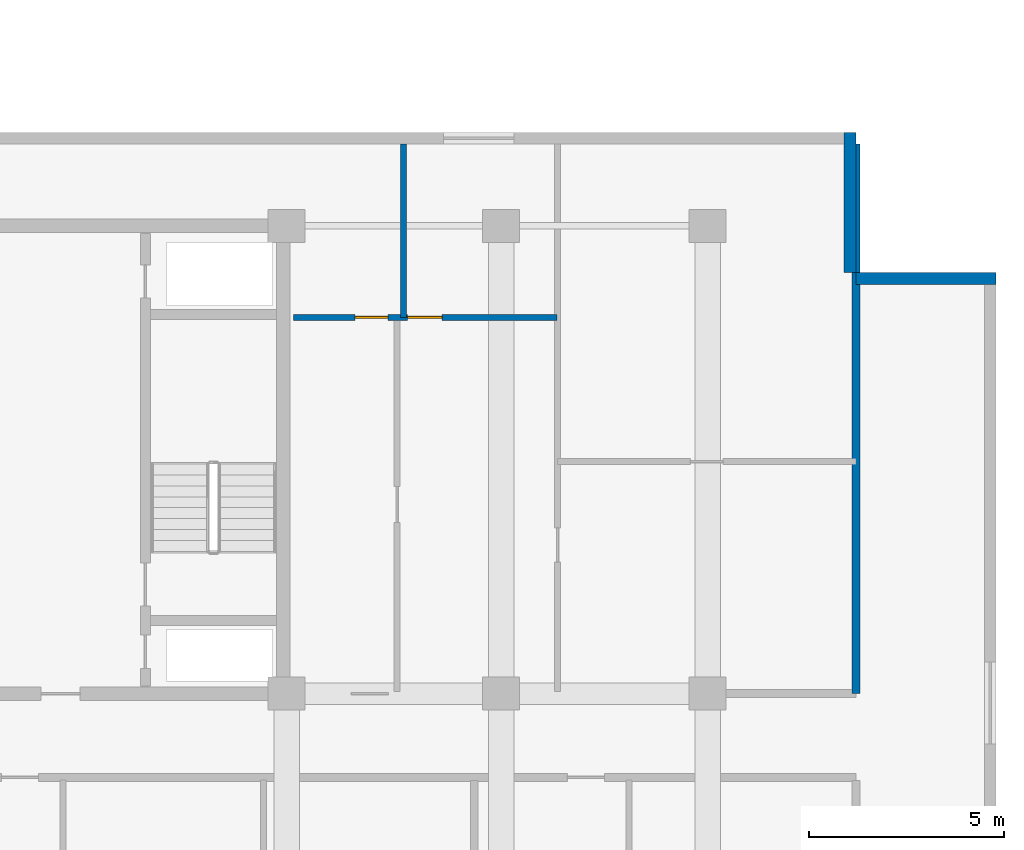
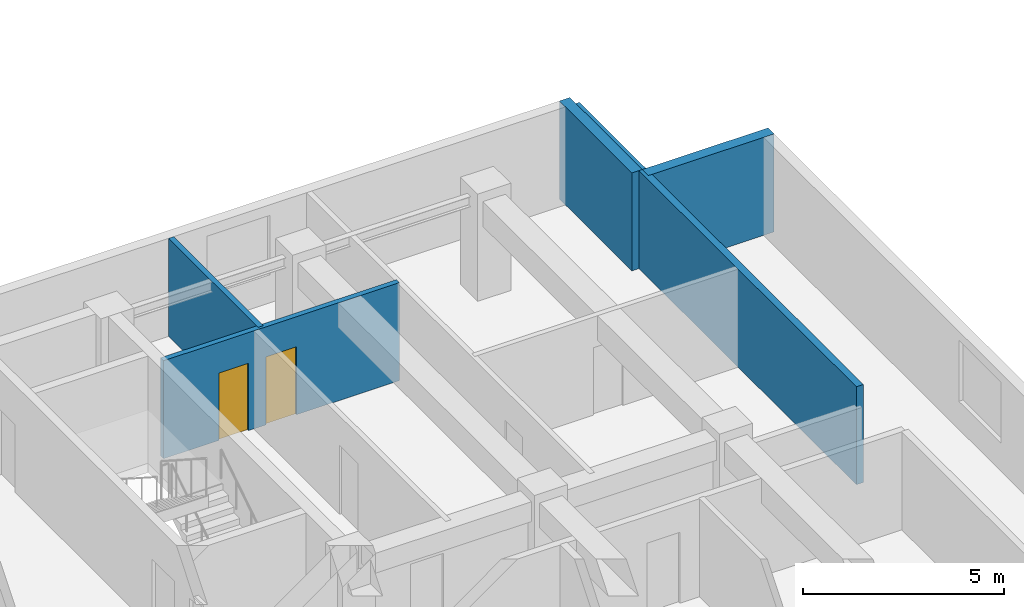
# One storey, part 9 of 24: 5 walls, 2 doors, 2 openings.
"""IFC4 building model written with IfcOpenShell, lengths in metres."""

import ifcopenshell
import ifcopenshell.guid

model = None  # the IFC model being written
_history = None  # IfcOwnerHistory: only IFC2X3 demands one
_inside = {}  # id of a spatial element -> (the spatial element, [elements in it])
_under = {}  # id of a project, library or spatial element -> (it, [spatial elements below it])
_declared = {}  # id of a project -> (the project, [libraries it declares])
_typed = {}  # id of a type object -> (the type object, [elements of that type])
_made_of = {}  # id of a material, layer set ... -> (it, [elements and type objects made of it])


def new_model(schema):
    """Start an empty IFC model of exactly this schema.

    Asked for "IFC4X3", IfcOpenShell would pick the latest addendum, in which some entities
    have other attributes; the version numbers below select the first issue.
    IFC2X3 requires an IfcOwnerHistory on every rooted entity: one is made here for all.
    """
    global model, _history
    if schema == "IFC4X3":
        model = ifcopenshell.file(schema_version=(4, 3, 0, 0))
    else:
        model = ifcopenshell.file(schema=schema)
    _inside.clear()
    _under.clear()
    _declared.clear()
    _typed.clear()
    _made_of.clear()
    _history = None
    if model.schema == "IFC2X3":
        org = make("IfcOrganization", Name="unknown")
        user = make(
            "IfcPersonAndOrganization",
            ThePerson=make("IfcPerson", FamilyName="unknown"),
            TheOrganization=org,
        )
        app = make(
            "IfcApplication",
            ApplicationDeveloper=org,
            Version="unknown",
            ApplicationFullName="unknown",
            ApplicationIdentifier="unknown",
        )
        _history = make(
            "IfcOwnerHistory",
            OwningUser=user,
            OwningApplication=app,
            ChangeAction="ADDED",
            CreationDate=0,
        )
    return model


def make(cls, **values):
    """One entity of the class cls with the attributes given. An attribute that is None is left unset."""
    return model.create_entity(
        cls, **{name: value for name, value in values.items() if value is not None}
    )


def rooted(cls, **values):
    """An entity with a GlobalId (a new one), such as an element, a storey or a relation."""
    return make(cls, GlobalId=ifcopenshell.guid.new(), OwnerHistory=_history, **values)


def si_unit(unit_type, name, prefix=None):
    """IfcSIUnit, for example si_unit("LENGTHUNIT", "METRE", prefix="MILLI")."""
    return make("IfcSIUnit", UnitType=unit_type, Prefix=prefix, Name=name)


def assignment(units):
    """IfcUnitAssignment: the units of a project."""
    return None if units is None else make("IfcUnitAssignment", Units=units)


def point(xyz):
    """IfcCartesianPoint."""
    return None if xyz is None else make("IfcCartesianPoint", Coordinates=xyz)


def direction(xyz):
    """IfcDirection."""
    return None if xyz is None else make("IfcDirection", DirectionRatios=xyz)


def frame(location, z_axis=None, x_axis=None):
    """IfcAxis2Placement3D, a coordinate frame: its origin and axes. An axis left out is left unset."""
    return make(
        "IfcAxis2Placement3D",
        Location=point(location),
        Axis=direction(z_axis),
        RefDirection=direction(x_axis),
    )


def frame_2d(location, x_axis=None):
    """IfcAxis2Placement2D, a coordinate frame in the plane: its origin and x axis."""
    return make(
        "IfcAxis2Placement2D", Location=point(location), RefDirection=direction(x_axis)
    )


def origin():
    """The frame at (0, 0, 0) with its axes left unset."""
    return frame((0.0, 0.0, 0.0))


def place(relative_to, where):
    """IfcLocalPlacement: puts the frame where relative to a parent placement (None: the world)."""
    return make(
        "IfcLocalPlacement", PlacementRelTo=relative_to, RelativePlacement=where
    )


def context(
    kind, dimensions, precision=None, world=None, true_north=None, identifier=None
):
    """IfcGeometricRepresentationContext, for example the 3D "Model" context."""
    return make(
        "IfcGeometricRepresentationContext",
        ContextIdentifier=identifier,
        ContextType=kind,
        CoordinateSpaceDimension=dimensions,
        Precision=precision,
        WorldCoordinateSystem=world,
        TrueNorth=true_north,
    )


def subcontext(parent, identifier, kind, view, scale=None):
    """IfcGeometricRepresentationSubContext, for example "Body" below "Model"."""
    return make(
        "IfcGeometricRepresentationSubContext",
        ContextIdentifier=identifier,
        ContextType=kind,
        ParentContext=parent,
        TargetScale=scale,
        TargetView=view,
    )


def project(units=None, contexts=None):
    """IfcProject with its units and contexts."""
    return rooted(
        "IfcProject",
        Name="project",
        RepresentationContexts=contexts,
        UnitsInContext=assignment(units),
    )


def spatial(cls, under=None, at=None, **own):
    """A site, building, storey or space (cls), placed at a placement, below another one or the project."""
    s = rooted(cls, ObjectPlacement=at, **own)
    if under is not None:
        _under.setdefault(under.id(), (under, []))[1].append(s)
    return s


def profile(cls, at=None, kind="AREA", **sizes):
    """A parametric profile (cls). Its sizes go by their IFC names, for example OverallWidth=200.0."""
    return make(cls, ProfileType=kind, Position=at, **sizes)


def rectangle(**sizes):
    """IfcRectangleProfileDef."""
    return profile("IfcRectangleProfileDef", **sizes)


def extrude(swept, where, along, depth):
    """IfcExtrudedAreaSolid: the profile swept, set in the frame where, extruded along a direction by depth."""
    return make(
        "IfcExtrudedAreaSolid",
        SweptArea=swept,
        Position=where,
        ExtrudedDirection=direction(along),
        Depth=depth,
    )


def shape(context_of_items, identifier, shape_type, items):
    """IfcShapeRepresentation: the items that make up one representation, for example the "Body"."""
    return make(
        "IfcShapeRepresentation",
        ContextOfItems=context_of_items,
        RepresentationIdentifier=identifier,
        RepresentationType=shape_type,
        Items=items,
    )


def material(Name=None, Category=None):
    """IfcMaterial."""
    return make("IfcMaterial", Name=Name, Category=Category)


def layer(
    of_material, thickness, ventilated=None, Name=None, Category=None, Priority=None
):
    """IfcMaterialLayer: one layer of a wall or slab, of a material (None: an air gap)."""
    return make(
        "IfcMaterialLayer",
        Material=of_material,
        LayerThickness=thickness,
        IsVentilated=ventilated,
        Name=Name,
        Category=Category,
        Priority=Priority,
    )


def layer_set(layers, Name=None):
    """IfcMaterialLayerSet."""
    return make("IfcMaterialLayerSet", MaterialLayers=layers, LayerSetName=Name)


def made_of(thing, what):
    """Note that an element or type object is made of a material, layer set ...; save() writes the relation."""
    if what is not None:
        _made_of.setdefault(what.id(), (what, []))[1].append(thing)
    return thing


def type_object(cls, material=None, **own):
    """A type object (cls), such as IfcWallType, which elements share."""
    return made_of(rooted(cls, **own), material)


def element(
    cls,
    number,
    at=None,
    inside=None,
    cuts=None,
    type_object=None,
    material=None,
    context=None,
    identifier="Body",
    shape_type=None,
    held_by="IfcProductDefinitionShape",
    body=None,
    shapes=None,
    **own,
):
    """One element of the class cls, such as IfcWall. Its Tag is "e" and its number.

    at: its placement. inside: the storey or other place that contains it. cuts: it is an
    opening in that element (IfcRelVoidsElement). A single representation is given by context,
    identifier, shape_type and body (its items); several are given by shapes. held_by: the class
    of the entity that holds the representations. save() writes the other relations.
    """
    e = rooted(cls, Tag="e%d" % number, ObjectPlacement=at, **own)
    if body is not None:
        shapes = [shape(context, identifier, shape_type, body)]
    if shapes is not None:
        e.Representation = make(held_by, Representations=shapes)
    if inside is not None:
        _inside.setdefault(inside.id(), (inside, []))[1].append(e)
    if cuts is not None:
        rooted(
            "IfcRelVoidsElement", RelatingBuildingElement=cuts, RelatedOpeningElement=e
        )
    if type_object is not None:
        _typed.setdefault(type_object.id(), (type_object, []))[1].append(e)
    return made_of(e, material)


def fill(opening, filler):
    """IfcRelFillsElement: the door or window that sits in an opening."""
    return rooted(
        "IfcRelFillsElement",
        RelatingOpeningElement=opening,
        RelatedBuildingElement=filler,
    )


def aggregate(whole, parts):
    """IfcRelAggregates: a whole, such as a stair, and the parts it consists of."""
    return rooted("IfcRelAggregates", RelatingObject=whole, RelatedObjects=parts)


def save(model, path):
    """Write the relations noted so far, then the file.

    IfcRelAggregates (storeys below a building ...), IfcRelContainedInSpatialStructure (elements
    in a storey), IfcRelDefinesByType, IfcRelAssociatesMaterial and IfcRelDeclares: one each for
    every whole, place, type object, material and project.
    """
    for whole, parts in _under.values():
        aggregate(whole, parts)
    for where, things in _inside.values():
        rooted(
            "IfcRelContainedInSpatialStructure",
            RelatedElements=things,
            RelatingStructure=where,
        )
    for kind, things in _typed.values():
        rooted("IfcRelDefinesByType", RelatedObjects=things, RelatingType=kind)
    for what, things in _made_of.values():
        rooted("IfcRelAssociatesMaterial", RelatedObjects=things, RelatingMaterial=what)
    for by, libraries in _declared.values():
        rooted("IfcRelDeclares", RelatingContext=by, RelatedDefinitions=libraries)
    model.write(path)


model = new_model("IFC4")

# Units and contexts
model_context = context("Model", 3, precision=1e-05, world=origin(), true_north=direction((0.0, 1.0)))
body_context = subcontext(model_context, "Body", "Model", "MODEL_VIEW")
ifc_project = project(units=[si_unit("LENGTHUNIT", "METRE"), si_unit("AREAUNIT", "SQUARE_METRE"), si_unit("VOLUMEUNIT", "CUBIC_METRE"), si_unit("PLANEANGLEUNIT", "RADIAN"), si_unit("MASSUNIT", "GRAM", prefix="KILO")], contexts=[model_context])

# Site, building, storey
site_placement = place(None, origin())
site = spatial("IfcSite", under=ifc_project, at=site_placement, CompositionType="ELEMENT")
building_placement = place(site_placement, origin())
building = spatial("IfcBuilding", under=site, at=building_placement, Name="Korimba Cascade Residences", CompositionType="ELEMENT")
storey_placement = place(building_placement, frame((0.0, 0.0, 66.25)))
storey = spatial("IfcBuildingStorey", under=building, at=storey_placement, Name="L18", CompositionType="ELEMENT", Elevation=66.25)

# Walls
ifc_material_1 = material(Name="Precast concrete C40/50", Category="concrete")
ifc_layer_1 = layer(ifc_material_1, 0.300048828125)
ifc_layer_set_1 = layer_set([ifc_layer_1], Name="Precast concrete C40/50")
wall_type_1 = type_object("IfcWallType", Name="EW-STONE-300", PredefinedType="STANDARD", material=ifc_layer_set_1)
for number, where, z_axis, x_axis, name in (
    (1, (136.300048828125, 29.050048828125, 0.0), (0.0, 0.0, 1.0), (-1.0, 0.0, 0.0), "L18 T2 Perimeter Stone Wall E04"),
    (2, (132.550048828125, 29.199951171875, 0.0), (0.0, 0.0, 1.0), (0.0, 1.0, 0.0), "L18 T2 Perimeter Stone Wall E05"),
):
    element("IfcWall", number, at=place(storey_placement, frame(where, z_axis=z_axis, x_axis=x_axis)), inside=storey, type_object=wall_type_1, Name=name, PredefinedType="STANDARD", context=body_context, shape_type="SweptSolid", body=[
        extrude(rectangle(XDim=3.60009765625, YDim=0.300048828125, at=frame_2d((1.800048828125, 0.0))), origin(), (0.0, 0.0, 1.0), 2.969970703125),
    ])
ifc_layer_2 = layer(ifc_material_1, 0.199951171875)
ifc_layer_set_2 = layer_set([ifc_layer_2], Name="Precast concrete C40/50")
wall_type_2 = type_object("IfcWallType", Name="WAL-IT-200", PredefinedType="PARTITIONING", material=ifc_layer_set_2)
wall_1_placement = place(storey_placement, frame((132.699951171875, 18.39990234375, 0.0), z_axis=(0.0, 0.0, 1.0), x_axis=(0.0, 1.0, 0.0)))
element("IfcWall", 3, at=wall_1_placement, inside=storey, type_object=wall_type_2, Name="L18 Partition Wall WAL-L18-T2-FE-WR", PredefinedType="PARTITIONING", context=body_context, shape_type="SweptSolid", body=[
    extrude(rectangle(XDim=14.10009765625, YDim=0.199951171875, at=frame_2d((7.050048828125, 0.0))), origin(), (0.0, 0.0, 1.0), 2.969970703125),
])
ifc_material_2 = material(Name="Insulated Acoustic Stud Partition", Category="gypsum")
ifc_layer_3 = layer(ifc_material_2, 0.14990234375)
ifc_layer_set_3 = layer_set([ifc_layer_3], Name="Insulated Acoustic Stud Partition")
wall_type_3 = type_object("IfcWallType", Name="WAL-PART-150", PredefinedType="PARTITIONING", material=ifc_layer_set_3)
wall_2_placement = place(storey_placement, frame((121.10009765625, 28.050048828125, 0.0), z_axis=(0.0, 0.0, 1.0), x_axis=(0.0, 1.0, 0.0)))
element("IfcWall", 4, at=wall_2_placement, inside=storey, type_object=wall_type_3, Name="L18 Partition Wall WAL-L18-T2-FE-VN", PredefinedType="PARTITIONING", context=body_context, shape_type="SweptSolid", body=[
    extrude(rectangle(XDim=4.449951171875, YDim=0.14990234375, at=frame_2d((2.22509765625, 0.0))), origin(), (0.0, 0.0, 1.0), 2.969970703125),
])

# Wall, openings, doors
wall_3_placement = place(storey_placement, frame((118.27001953125, 28.050048828125, 0.0), z_axis=(0.0, 0.0, 1.0), x_axis=(1.0, 0.0, 0.0)))
wall_3 = element("IfcWall", 5, at=wall_3_placement, inside=storey, type_object=wall_type_3, Name="L18 Partition Wall WAL-L18-T2-FE-H", PredefinedType="PARTITIONING", context=body_context, shape_type="SweptSolid", body=[
    extrude(rectangle(XDim=6.760009765625, YDim=0.14990234375, at=frame_2d((3.3798828125, 0.0))), origin(), (0.0, 0.0, 1.0), 2.969970703125),
])
opening_1_placement = place(wall_3_placement, frame((1.58740234375, 0.0, 0.0)))
opening_1 = element("IfcOpeningElement", 6, at=opening_1_placement, cuts=wall_3, Name="Opening D-BT1", PredefinedType="OPENING", context=body_context, shape_type="SweptSolid", body=[
    extrude(rectangle(XDim=0.840087890625, YDim=2.0400390625, at=frame_2d((0.419921875, 1.02001953125))), frame((0.0, 0.0849609375, 0.0), z_axis=(0.0, -1.0, 0.0), x_axis=(1.0, 0.0, 0.0)), (0.0, 0.0, 1.0), 0.169921875),
])
opening_2_placement = place(wall_3_placement, frame((2.93408203125, 0.0, 0.0)))
opening_2 = element("IfcOpeningElement", 7, at=opening_2_placement, cuts=wall_3, Name="Opening D-IN2", PredefinedType="OPENING", context=body_context, shape_type="SweptSolid", body=[
    extrude(rectangle(XDim=0.8798828125, YDim=2.06005859375, at=frame_2d((0.43994140625, 1.030029296875))), frame((0.0, 0.0849609375, 0.0), z_axis=(0.0, -1.0, 0.0), x_axis=(1.0, 0.0, 0.0)), (0.0, 0.0, 1.0), 0.169921875),
])
ifc_material_3 = material(Name="Moisture-Resistant Bathroom Timber Door", Category="wood")
door_type_1 = type_object("IfcDoorType", Name="DR-INT-850", OperationType="NOTDEFINED", PredefinedType="DOOR", material=ifc_material_3)
door_1_placement = place(opening_1_placement, origin())
door_1 = element("IfcDoor", 8, at=door_1_placement, inside=storey, type_object=door_type_1, Name="L18-T2-FE Bathroom Door", OperationType="SINGLE_SWING_RIGHT", OverallHeight=2.0400390625, OverallWidth=0.840087890625, PredefinedType="DOOR", context=body_context, shape_type="SweptSolid", body=[
    extrude(rectangle(XDim=0.840087890625, YDim=2.0400390625, at=frame_2d((0.419921875, 1.02001953125))), frame((0.0, 0.02490234375, 0.0), z_axis=(0.0, -1.0, 0.0), x_axis=(1.0, 0.0, 0.0)), (0.0, 0.0, 1.0), 0.050048828125),
])
fill(opening_1, door_1)
ifc_material_4 = material(Name="Acoustic Timber Bedroom Door", Category="wood")
door_type_2 = type_object("IfcDoorType", Name="DR-INT-880", OperationType="NOTDEFINED", PredefinedType="DOOR", material=ifc_material_4)
door_2_placement = place(opening_2_placement, origin())
door_2 = element("IfcDoor", 9, at=door_2_placement, inside=storey, type_object=door_type_2, Name="L18-T2-FE Bedroom Door", OperationType="SINGLE_SWING_LEFT", OverallHeight=2.06005859375, OverallWidth=0.8798828125, PredefinedType="DOOR", context=body_context, shape_type="SweptSolid", body=[
    extrude(rectangle(XDim=0.8798828125, YDim=2.06005859375, at=frame_2d((0.43994140625, 1.030029296875))), frame((0.0, 0.02490234375, 0.0), z_axis=(0.0, -1.0, 0.0), x_axis=(1.0, 0.0, 0.0)), (0.0, 0.0, 1.0), 0.050048828125),
])
fill(opening_2, door_2)

save(model, "model.ifc")
